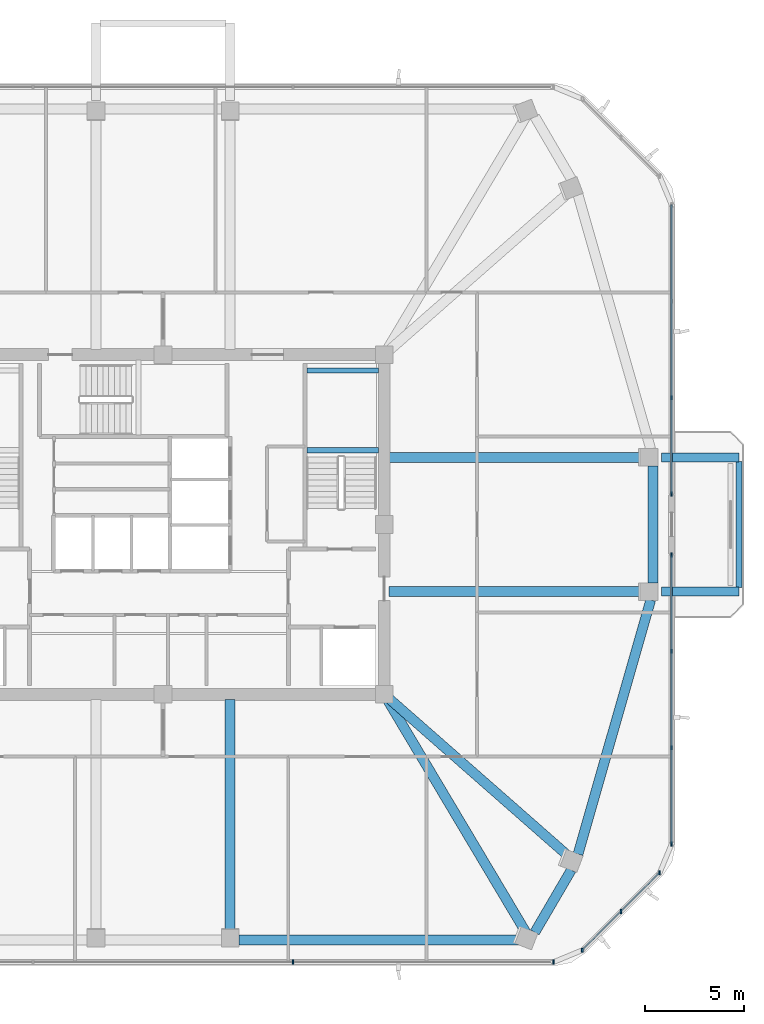
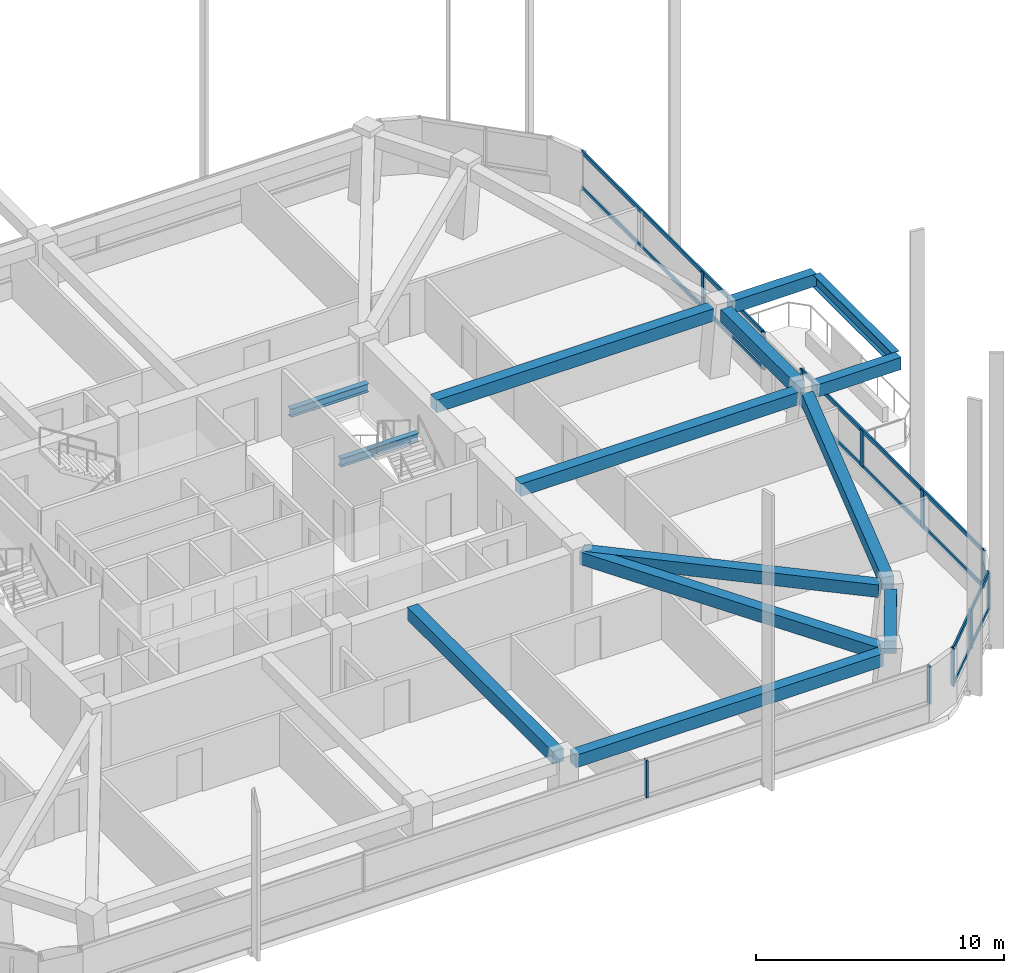
# One storey, part 5 of 17: 17 members, 14 beams, 4 elements without a shape of their own.
"""IFC4 building model written with IfcOpenShell, lengths in metres."""

from ifc_helpers import new_model, si_unit, derived_unit, direction, frame, origin, origin_2d, place, context, subcontext, project, spatial, rectangle, i_section, extrude, material, material_profile, profile_set, type_object, element, aggregate, save


model = new_model("IFC4")

# Units and contexts
model_context = context("Model", 3, precision=1e-05, world=origin(), true_north=direction((0.0, 1.0)))
body_context = subcontext(model_context, "Body", "Model", "MODEL_VIEW")
ifc_project = project(units=[si_unit("LENGTHUNIT", "METRE"), si_unit("AREAUNIT", "SQUARE_METRE"), si_unit("VOLUMEUNIT", "CUBIC_METRE"), si_unit("PLANEANGLEUNIT", "RADIAN"), si_unit("MASSUNIT", "GRAM", prefix="KILO"), derived_unit("THERMALTRANSMITTANCEUNIT", [(si_unit("POWERUNIT", "WATT"), 1), (si_unit("LENGTHUNIT", "METRE"), -2), (si_unit("THERMODYNAMICTEMPERATUREUNIT", "KELVIN"), -1)])], contexts=[model_context])

# Site, building, storey
site_placement = place(None, origin())
site = spatial("IfcSite", under=ifc_project, at=site_placement, CompositionType="ELEMENT")
building_placement = place(site_placement, origin())
building = spatial("IfcBuilding", under=site, at=building_placement, Name="Koralith Skygarden Medical Center", CompositionType="ELEMENT")
storey_placement = place(building_placement, frame((0.0, 0.0, 207.179931640625)))
storey = spatial("IfcBuildingStorey", under=building, at=storey_placement, Name="L53", CompositionType="ELEMENT", Elevation=207.179931640625)

# Curtain wall, members
ifc_material_1 = material(Name="Clear Laminated Glass", Category="glass")
curtain_wall_type = type_object("IfcCurtainWallType", Name="CW-5 Zone 4 Flare Biophilic Curtain Wall", PredefinedType="NOTDEFINED", material=ifc_material_1)
curtain_wall_1_placement = place(storey_placement, origin())
curtain_wall_1 = element("IfcCurtainWall", 1, at=curtain_wall_1_placement, inside=storey, type_object=curtain_wall_type, Name="Curtain Wall CW-L53-S", PredefinedType="NOTDEFINED")
ifc_material_2 = material(Name="Aluminium 6063-T6", Category="aluminium")
ifc_material_profile_1 = material_profile(ifc_material_2, rectangle(XDim=0.080078125, YDim=0.219970703125, at=origin_2d()), Name="MUL80X220")
ifc_profile_set_1 = profile_set([ifc_material_profile_1], Name="Aluminium 6063-T6")
member_type_1 = type_object("IfcMemberType", Name="CW-5 Extruded Mullion 80x220", PredefinedType="MULLION", material=ifc_profile_set_1)
member_1_placement = place(storey_placement, frame((43.592041015625, 3.742919921875, 0.85009765625), z_axis=(0.0, 0.0, 1.0), x_axis=(1.0, 0.0, 0.0)))
member_1 = element("IfcMember", 2, at=member_1_placement, type_object=member_type_1, Name="CW-L53-S Mullion 3", PredefinedType="MULLION", context=body_context, shape_type="SweptSolid", body=[
    extrude(rectangle(XDim=0.080078125, YDim=0.219970703125, at=origin_2d()), origin(), (0.0, 0.0, 1.0), 1.840087890625),
])
member_2_placement = place(storey_placement, frame((56.777099609375, 3.742919921875, 0.85009765625), z_axis=(0.0, 0.0, 1.0), x_axis=(1.0, 0.0, 0.0)))
member_2 = element("IfcMember", 3, at=member_2_placement, type_object=member_type_1, Name="CW-L53-S Mullion 4", PredefinedType="MULLION", context=body_context, shape_type="SweptSolid", body=[
    extrude(rectangle(XDim=0.080078125, YDim=0.219970703125, at=origin_2d()), origin(), (0.0, 0.0, 1.0), 1.840087890625),
])
aggregate(curtain_wall_1, [member_1, member_2])

curtain_wall_2_placement = place(storey_placement, origin())
curtain_wall_2 = element("IfcCurtainWall", 4, at=curtain_wall_2_placement, inside=storey, type_object=curtain_wall_type, Name="Curtain Wall CW-L53-SE", PredefinedType="NOTDEFINED")
member_3_placement = place(storey_placement, frame((58.22802734375, 4.343994140625, 0.85009765625), z_axis=(0.0, 0.0, 1.0), x_axis=(1.0, 0.0, 0.0)))
member_3 = element("IfcMember", 5, at=member_3_placement, type_object=member_type_1, Name="CW-L53-SE Mullion 1", PredefinedType="MULLION", context=body_context, shape_type="SweptSolid", body=[
    extrude(rectangle(XDim=0.080078125, YDim=0.219970703125, at=origin_2d()), origin(), (0.0, 0.0, 1.0), 1.840087890625),
])
member_4_placement = place(storey_placement, frame((60.18994140625, 6.305908203125, 0.85009765625), z_axis=(0.0, 0.0, 1.0), x_axis=(1.0, 0.0, 0.0)))
member_4 = element("IfcMember", 6, at=member_4_placement, type_object=member_type_1, Name="CW-L53-SE Mullion 2", PredefinedType="MULLION", context=body_context, shape_type="SweptSolid", body=[
    extrude(rectangle(XDim=0.080078125, YDim=0.219970703125, at=origin_2d()), origin(), (0.0, 0.0, 1.0), 1.840087890625),
])
member_5_placement = place(storey_placement, frame((62.15087890625, 8.26708984375, 0.85009765625), z_axis=(0.0, 0.0, 1.0), x_axis=(1.0, 0.0, 0.0)))
member_5 = element("IfcMember", 7, at=member_5_placement, type_object=member_type_1, Name="CW-L53-SE Mullion 3", PredefinedType="MULLION", context=body_context, shape_type="SweptSolid", body=[
    extrude(rectangle(XDim=0.080078125, YDim=0.219970703125, at=origin_2d()), origin(), (0.0, 0.0, 1.0), 1.840087890625),
])

curtain_wall_3_placement = place(storey_placement, origin())
curtain_wall_3 = element("IfcCurtainWall", 8, at=curtain_wall_3_placement, inside=storey, type_object=curtain_wall_type, Name="Curtain Wall CW-L53-E-L", PredefinedType="NOTDEFINED")
member_6_placement = place(storey_placement, frame((62.751953125, 9.718017578125, 0.85009765625), z_axis=(0.0, 0.0, 1.0), x_axis=(1.0, 0.0, 0.0)))
member_6 = element("IfcMember", 9, at=member_6_placement, type_object=member_type_1, Name="CW-L53-E-L Mullion 1", PredefinedType="MULLION", context=body_context, shape_type="SweptSolid", body=[
    extrude(rectangle(XDim=0.080078125, YDim=0.219970703125, at=origin_2d()), origin(), (0.0, 0.0, 1.0), 1.840087890625),
])
member_7_placement = place(storey_placement, frame((62.751953125, 14.597900390625, 0.85009765625), z_axis=(0.0, 0.0, 1.0), x_axis=(1.0, 0.0, 0.0)))
member_7 = element("IfcMember", 10, at=member_7_placement, type_object=member_type_1, Name="CW-L53-E-L Mullion 2", PredefinedType="MULLION", context=body_context, shape_type="SweptSolid", body=[
    extrude(rectangle(XDim=0.080078125, YDim=0.219970703125, at=origin_2d()), origin(), (0.0, 0.0, 1.0), 1.840087890625),
])
member_8_placement = place(storey_placement, frame((62.751953125, 19.47900390625, 0.85009765625), z_axis=(0.0, 0.0, 1.0), x_axis=(1.0, 0.0, 0.0)))
member_8 = element("IfcMember", 11, at=member_8_placement, type_object=member_type_1, Name="CW-L53-E-L Mullion 3", PredefinedType="MULLION", context=body_context, shape_type="SweptSolid", body=[
    extrude(rectangle(XDim=0.080078125, YDim=0.219970703125, at=origin_2d()), origin(), (0.0, 0.0, 1.0), 1.840087890625),
])
member_9_placement = place(storey_placement, frame((62.751953125, 24.35888671875, 0.85009765625), z_axis=(0.0, 0.0, 1.0), x_axis=(1.0, 0.0, 0.0)))
member_9 = element("IfcMember", 12, at=member_9_placement, type_object=member_type_1, Name="CW-L53-E-L Mullion 4", PredefinedType="MULLION", context=body_context, shape_type="SweptSolid", body=[
    extrude(rectangle(XDim=0.080078125, YDim=0.219970703125, at=origin_2d()), origin(), (0.0, 0.0, 1.0), 1.840087890625),
])

curtain_wall_4_placement = place(storey_placement, origin())
curtain_wall_4 = element("IfcCurtainWall", 13, at=curtain_wall_4_placement, inside=storey, type_object=curtain_wall_type, Name="Curtain Wall CW-L53-E-R", PredefinedType="NOTDEFINED")
member_10_placement = place(storey_placement, frame((62.751953125, 27.43896484375, 0.85009765625), z_axis=(0.0, 0.0, 1.0), x_axis=(1.0, 0.0, 0.0)))
member_10 = element("IfcMember", 14, at=member_10_placement, type_object=member_type_1, Name="CW-L53-E-R Mullion 1", PredefinedType="MULLION", context=body_context, shape_type="SweptSolid", body=[
    extrude(rectangle(XDim=0.080078125, YDim=0.219970703125, at=origin_2d()), origin(), (0.0, 0.0, 1.0), 1.840087890625),
])
member_11_placement = place(storey_placement, frame((62.751953125, 32.320068359375, 0.85009765625), z_axis=(0.0, 0.0, 1.0), x_axis=(1.0, 0.0, 0.0)))
member_11 = element("IfcMember", 15, at=member_11_placement, type_object=member_type_1, Name="CW-L53-E-R Mullion 2", PredefinedType="MULLION", context=body_context, shape_type="SweptSolid", body=[
    extrude(rectangle(XDim=0.080078125, YDim=0.219970703125, at=origin_2d()), origin(), (0.0, 0.0, 1.0), 1.840087890625),
])

# Member
ifc_material_profile_2 = material_profile(ifc_material_2, rectangle(XDim=0.074951171875, YDim=0.197998046875, at=origin_2d()), Name="TRN75X198")
ifc_profile_set_2 = profile_set([ifc_material_profile_2], Name="Aluminium 6063-T6")
member_type_2 = type_object("IfcMemberType", Name="CW-5 Thermal Transom 75x198", PredefinedType="USERDEFINED", material=ifc_profile_set_2)
member_12_placement = place(storey_placement, frame((58.22802734375, 4.343994140625, 0.900146484375), z_axis=(0.707084777957, 0.707128783731, 0.0), x_axis=(-0.707128783731, 0.707084777957, 0.0)))
member_12 = element("IfcMember", 16, at=member_12_placement, type_object=member_type_2, Name="CW-L53-SE Transom 1", ObjectType="TRANSOM", PredefinedType="USERDEFINED", context=body_context, shape_type="SweptSolid", body=[
    extrude(rectangle(XDim=0.074951171875, YDim=0.197998046875, at=origin_2d()), origin(), (0.0, 0.0, 1.0), 5.5478515625),
])

member_13_placement = place(storey_placement, frame((58.22802734375, 4.343994140625, 2.64013671875), z_axis=(0.707084777957, 0.707128783731, 0.0), x_axis=(-0.707128783731, 0.707084777957, 0.0)))
member_13 = element("IfcMember", 17, at=member_13_placement, type_object=member_type_2, Name="CW-L53-SE Transom 2", ObjectType="TRANSOM", PredefinedType="USERDEFINED", context=body_context, shape_type="SweptSolid", body=[
    extrude(rectangle(XDim=0.074951171875, YDim=0.197998046875, at=origin_2d()), origin(), (0.0, 0.0, 1.0), 5.5478515625),
])

aggregate(curtain_wall_2, [member_3, member_4, member_5, member_12, member_13])

member_14_placement = place(storey_placement, frame((62.751953125, 9.718017578125, 0.900146484375), z_axis=(0.0, 1.0, 0.0), x_axis=(-1.0, 0.0, 0.0)))
member_14 = element("IfcMember", 18, at=member_14_placement, type_object=member_type_2, Name="CW-L53-E-L Transom 1", ObjectType="TRANSOM", PredefinedType="USERDEFINED", context=body_context, shape_type="SweptSolid", body=[
    extrude(rectangle(XDim=0.074951171875, YDim=0.197998046875, at=origin_2d()), origin(), (0.0, 0.0, 1.0), 14.640869140625),
])

member_15_placement = place(storey_placement, frame((62.751953125, 9.718017578125, 2.64013671875), z_axis=(0.0, 1.0, 0.0), x_axis=(-1.0, 0.0, 0.0)))
member_15 = element("IfcMember", 19, at=member_15_placement, type_object=member_type_2, Name="CW-L53-E-L Transom 2", ObjectType="TRANSOM", PredefinedType="USERDEFINED", context=body_context, shape_type="SweptSolid", body=[
    extrude(rectangle(XDim=0.074951171875, YDim=0.197998046875, at=origin_2d()), origin(), (0.0, 0.0, 1.0), 14.640869140625),
])

aggregate(curtain_wall_3, [member_6, member_7, member_8, member_9, member_14, member_15])

member_16_placement = place(storey_placement, frame((62.751953125, 27.43896484375, 0.900146484375), z_axis=(0.0, 1.0, 0.0), x_axis=(-1.0, 0.0, 0.0)))
member_16 = element("IfcMember", 20, at=member_16_placement, type_object=member_type_2, Name="CW-L53-E-R Transom 1", ObjectType="TRANSOM", PredefinedType="USERDEFINED", context=body_context, shape_type="SweptSolid", body=[
    extrude(rectangle(XDim=0.074951171875, YDim=0.197998046875, at=origin_2d()), origin(), (0.0, 0.0, 1.0), 14.64306640625),
])

member_17_placement = place(storey_placement, frame((62.751953125, 27.43896484375, 2.64013671875), z_axis=(0.0, 1.0, 0.0), x_axis=(-1.0, 0.0, 0.0)))
member_17 = element("IfcMember", 21, at=member_17_placement, type_object=member_type_2, Name="CW-L53-E-R Transom 2", ObjectType="TRANSOM", PredefinedType="USERDEFINED", context=body_context, shape_type="SweptSolid", body=[
    extrude(rectangle(XDim=0.074951171875, YDim=0.197998046875, at=origin_2d()), origin(), (0.0, 0.0, 1.0), 14.64306640625),
])

aggregate(curtain_wall_4, [member_10, member_11, member_16, member_17])

# Beams
ifc_material_3 = material(Name="Steel ASTM A992 Grade 50", Category="steel")
ifc_material_profile_3 = material_profile(ifc_material_3, i_section(OverallWidth=0.326904296875, OverallDepth=0.6220703125, WebThickness=0.015380859375, FlangeThickness=0.0244140625, at=origin_2d()), Name="W24X131")
ifc_profile_set_3 = profile_set([ifc_material_profile_3], Name="Steel ASTM A992 Grade 50")
beam_type_1 = type_object("IfcBeamType", Name="Cantilever Tie Beam W24X131", PredefinedType="BEAM", material=ifc_profile_set_3)
beam_1_placement = place(storey_placement, frame((66.1650390625, 22.719970703125, 3.029052734375), z_axis=(0.0, 1.0, 0.0), x_axis=(-1.0, 0.0, 0.0)))
element("IfcBeam", 22, at=beam_1_placement, inside=storey, type_object=beam_type_1, Name="L54 E Balcony Tip Tie Beam", PredefinedType="BEAM", context=body_context, shape_type="SweptSolid", body=[
    extrude(i_section(OverallWidth=0.326904296875, OverallDepth=0.6220703125, WebThickness=0.015380859375, FlangeThickness=0.0244140625, at=origin_2d()), origin(), (0.0, 0.0, 1.0), 6.360107421875),
])
ifc_material_profile_4 = material_profile(ifc_material_3, i_section(OverallWidth=0.260009765625, OverallDepth=0.4150390625, WebThickness=0.010009765625, FlangeThickness=0.016845703125, at=origin_2d()), Name="W16X67")
ifc_profile_set_4 = profile_set([ifc_material_profile_4], Name="Steel ASTM A992 Grade 50")
beam_type_2 = type_object("IfcBeamType", Name="Clinical Floor Joist W16X67", PredefinedType="JOIST", material=ifc_profile_set_4)
for number, where, z_axis, x_axis, name in (
    (23, (44.280029296875, 29.659912109375, 1.39208984375), (1.0, 0.0, 0.0), (0.0, 1.0, 0.0), "L53 Stair ST2 Half-Landing Support Beam 1A"),
    (24, (44.280029296875, 33.699951171875, 1.39208984375), (1.0, 0.0, 0.0), (0.0, 1.0, 0.0), "L53 Stair ST2 Half-Landing Support Beam 1B"),
):
    element("IfcBeam", number, at=place(storey_placement, frame(where, z_axis=z_axis, x_axis=x_axis)), inside=storey, type_object=beam_type_2, Name=name, PredefinedType="JOIST", context=body_context, shape_type="SweptSolid", body=[
        extrude(i_section(OverallWidth=0.260009765625, OverallDepth=0.4150390625, WebThickness=0.010009765625, FlangeThickness=0.016845703125, at=origin_2d()), origin(), (0.0, 0.0, 1.0), 3.639892578125),
    ])
ifc_material_4 = material(Name="Concrete C45/55", Category="concrete")
ifc_material_profile_5 = material_profile(ifc_material_4, rectangle(XDim=0.449951171875, YDim=0.60009765625, at=origin_2d()), Name="RCB450X600")
ifc_profile_set_5 = profile_set([ifc_material_profile_5], Name="Concrete C45/55")
beam_type_3 = type_object("IfcBeamType", Name="Planted Balcony Cantilever Beam RCB450X600", PredefinedType="BEAM", material=ifc_profile_set_5)
for number, where, z_axis, x_axis, name in (
    (25, (62.2451171875, 22.5, 3.0400390625), (1.0, 0.0, 0.0), (0.0, 1.0, 0.0), "L54 E Balcony Cantilever Beam A"),
    (26, (62.2451171875, 29.300048828125, 3.0400390625), (1.0, 0.0, 0.0), (0.0, 1.0, 0.0), "L54 E Balcony Cantilever Beam B"),
):
    element("IfcBeam", number, at=place(storey_placement, frame(where, z_axis=z_axis, x_axis=x_axis)), inside=storey, type_object=beam_type_3, Name=name, PredefinedType="BEAM", context=body_context, shape_type="SweptSolid", body=[
        extrude(rectangle(XDim=0.449951171875, YDim=0.60009765625, at=origin_2d()), origin(), (0.0, 0.0, 1.0), 3.919921875),
    ])
ifc_material_profile_6 = material_profile(ifc_material_4, rectangle(XDim=0.5, YDim=0.6201171875, at=origin_2d()), Name="RCB500X620")
ifc_profile_set_6 = profile_set([ifc_material_profile_6], Name="Concrete C45/55")
beam_type_4 = type_object("IfcBeamType", Name="Upper Radial Collector Beam RCB500X620", PredefinedType="BEAM", material=ifc_profile_set_6)
beam_2_placement = place(storey_placement, frame((40.39990234375, 17.050048828125, 3.010009765625), z_axis=(0.0, -1.0, 0.0), x_axis=(1.0, 0.0, 0.0)))
element("IfcBeam", 27, at=beam_2_placement, inside=storey, type_object=beam_type_4, Name="L53 Radial Collector Beam RB-05", PredefinedType="BEAM", context=body_context, shape_type="SweptSolid", body=[
    extrude(rectangle(XDim=0.5, YDim=0.6201171875, at=origin_2d()), origin(), (0.0, 0.0, 1.0), 11.7431640625),
])
beam_3_placement = place(storey_placement, frame((48.327880859375, 17.0849609375, 3.010009765625), z_axis=(0.51161903501, -0.859212408555, 0.0), x_axis=(0.859212408555, 0.51161903501, 0.0)))
element("IfcBeam", 28, at=beam_3_placement, inside=storey, type_object=beam_type_4, Name="L53 Radial Collector Beam RB-06", PredefinedType="BEAM", context=body_context, shape_type="SweptSolid", body=[
    extrude(rectangle(XDim=0.5, YDim=0.6201171875, at=origin_2d()), origin(), (0.0, 0.0, 1.0), 13.77978515625),
])
beam_4_placement = place(storey_placement, frame((48.387939453125, 17.135009765625, 3.010009765625), z_axis=(0.751395256658, -0.659852383697, 0.0), x_axis=(0.659852383697, 0.751395256658, 0.0)))
element("IfcBeam", 29, at=beam_4_placement, inside=storey, type_object=beam_type_4, Name="L53 Radial Collector Beam RB-07", PredefinedType="BEAM", context=body_context, shape_type="SweptSolid", body=[
    extrude(rectangle(XDim=0.5, YDim=0.6201171875, at=origin_2d()), origin(), (0.0, 0.0, 1.0), 12.2119140625),
])
for number, where, z_axis, x_axis, name in (
    (30, (48.449951171875, 22.5, 3.010009765625), (1.0, 0.0, 0.0), (0.0, 1.0, 0.0), "L53 Radial Collector Beam RB-08"),
    (31, (48.449951171875, 29.300048828125, 3.010009765625), (1.0, 0.0, 0.0), (0.0, 1.0, 0.0), "L53 Radial Collector Beam RB-09"),
):
    element("IfcBeam", number, at=place(storey_placement, frame(where, z_axis=z_axis, x_axis=x_axis)), inside=storey, type_object=beam_type_4, Name=name, PredefinedType="BEAM", context=body_context, shape_type="SweptSolid", body=[
        extrude(rectangle(XDim=0.5, YDim=0.6201171875, at=origin_2d()), origin(), (0.0, 0.0, 1.0), 12.925048828125),
    ])
ifc_material_profile_7 = material_profile(ifc_material_4, rectangle(XDim=0.5, YDim=0.6201171875, at=origin_2d()), Name="RCB500X620")
ifc_profile_set_7 = profile_set([ifc_material_profile_7], Name="Concrete C45/55")
beam_type_5 = type_object("IfcBeamType", Name="Zone 4-5 Spandrel Beam RCB500X620", PredefinedType="SPANDREL", material=ifc_profile_set_7)
beam_5_placement = place(storey_placement, frame((40.840087890625, 4.866943359375, 3.010009765625), z_axis=(1.0, 0.0, 0.0), x_axis=(0.0, 1.0, 0.0)))
element("IfcBeam", 32, at=beam_5_placement, inside=storey, type_object=beam_type_5, Name="L53 Perimeter Spandrel Beam SP-05", PredefinedType="SPANDREL", context=body_context, shape_type="SweptSolid", body=[
    extrude(rectangle(XDim=0.5, YDim=0.6201171875, at=origin_2d()), origin(), (0.0, 0.0, 1.0), 14.322998046875),
])
beam_6_placement = place(storey_placement, frame((55.824951171875, 5.2470703125, 3.010009765625), z_axis=(0.504861750403, 0.863200216045, 0.0), x_axis=(-0.863200216045, 0.504861750403, 0.0)))
element("IfcBeam", 33, at=beam_6_placement, inside=storey, type_object=beam_type_5, Name="L53 Perimeter Spandrel Beam SP-06", PredefinedType="SPANDREL", context=body_context, shape_type="SweptSolid", body=[
    extrude(rectangle(XDim=0.5, YDim=0.6201171875, at=origin_2d()), origin(), (0.0, 0.0, 1.0), 3.66064453125),
])
beam_7_placement = place(storey_placement, frame((58.01611328125, 9.2099609375, 3.010009765625), z_axis=(0.274839192622, 0.961490207022, 0.0), x_axis=(-0.961490207022, 0.274839192622, 0.0)))
element("IfcBeam", 34, at=beam_7_placement, inside=storey, type_object=beam_type_5, Name="L53 Perimeter Spandrel Beam SP-07", PredefinedType="SPANDREL", context=body_context, shape_type="SweptSolid", body=[
    extrude(rectangle(XDim=0.5, YDim=0.6201171875, at=origin_2d()), origin(), (0.0, 0.0, 1.0), 13.38232421875),
])
beam_8_placement = place(storey_placement, frame((61.81494140625, 22.93994140625, 3.010009765625), z_axis=(0.0, 1.0, 0.0), x_axis=(-1.0, 0.0, 0.0)))
element("IfcBeam", 35, at=beam_8_placement, inside=storey, type_object=beam_type_5, Name="L53 Perimeter Spandrel Beam SP-08", PredefinedType="SPANDREL", context=body_context, shape_type="SweptSolid", body=[
    extrude(rectangle(XDim=0.5, YDim=0.6201171875, at=origin_2d()), origin(), (0.0, 0.0, 1.0), 5.920166015625),
])

save(model, "model.ifc")
